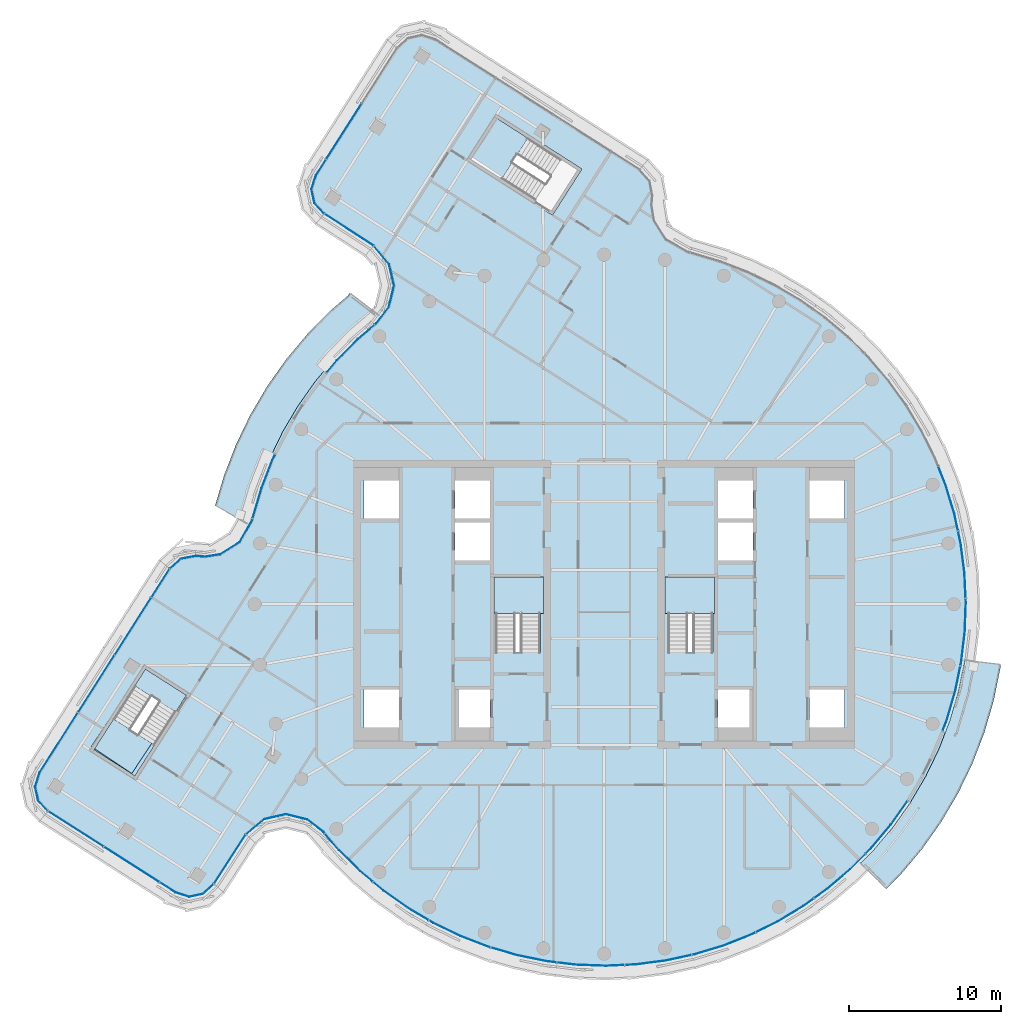
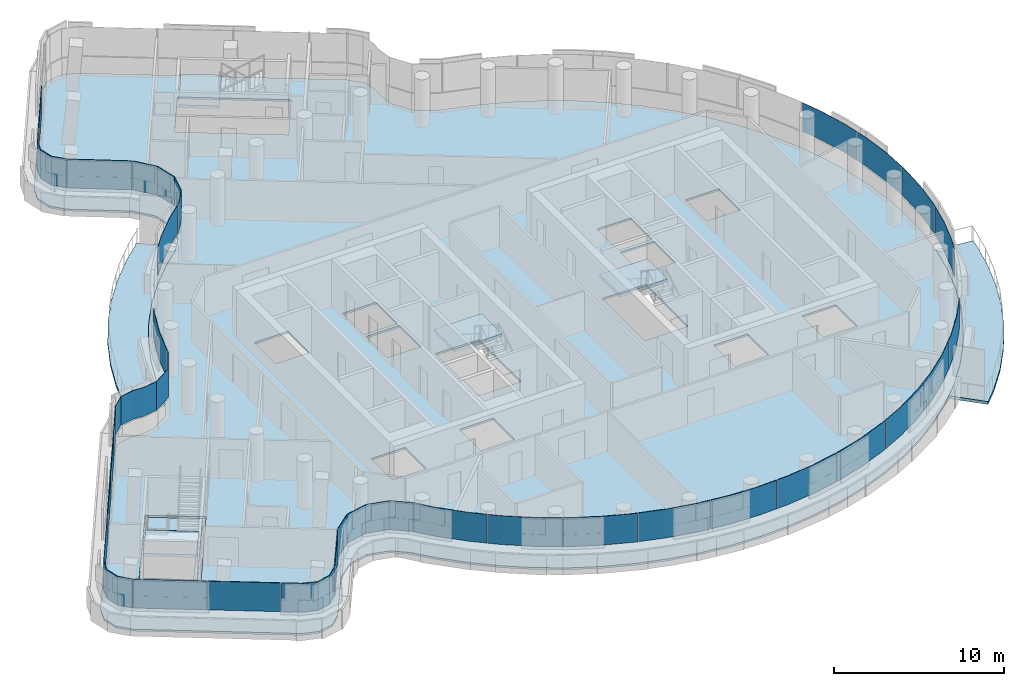
# One storey, part 15 of 27: 30 plates, 8 slabs, 11 elements without a shape of their own.
"""IFC4 building model written with IfcOpenShell, lengths in metres."""

from ifc_helpers import new_model, si_unit, direction, frame, origin, place, context, subcontext, project, spatial, polyline, outline, extrude, material, layer, layer_set, type_object, element, aggregate, save


model = new_model("IFC4")

# Units and contexts
model_context = context("Model", 3, precision=1e-05, world=origin(), true_north=direction((0.0, 1.0)))
body_context = subcontext(model_context, "Body", "Model", "MODEL_VIEW")
ifc_project = project(units=[si_unit("LENGTHUNIT", "METRE"), si_unit("AREAUNIT", "SQUARE_METRE"), si_unit("VOLUMEUNIT", "CUBIC_METRE"), si_unit("PLANEANGLEUNIT", "RADIAN"), si_unit("MASSUNIT", "GRAM", prefix="KILO")], contexts=[model_context])

# Site, building, storey
site_placement = place(None, origin())
site = spatial("IfcSite", under=ifc_project, at=site_placement, CompositionType="ELEMENT")
building_placement = place(site_placement, origin())
building = spatial("IfcBuilding", under=site, at=building_placement, Name="Tamarind Cross Interchange Tower", CompositionType="ELEMENT")
storey_placement = place(building_placement, frame((0.0, 0.0, 241.5)))
storey = spatial("IfcBuildingStorey", under=building, at=storey_placement, Name="L61", CompositionType="ELEMENT", Elevation=241.5)

# Slabs
ifc_material_1 = material(Name="Precast concrete C40", Category="concrete")
ifc_layer_1 = layer(ifc_material_1, 0.199951171875)
ifc_layer_set_1 = layer_set([ifc_layer_1], Name="Precast concrete C40")
slab_type_1 = type_object("IfcSlabType", Name="Balcony slab", PredefinedType="BASESLAB", material=ifc_layer_set_1)
slab_1_placement = place(storey_placement, frame((0.0, 0.0, -0.199951171875)))
element("IfcSlab", 1, at=slab_1_placement, inside=storey, type_object=slab_type_1, Name="SLB-L61-BAL02", PredefinedType="BASESLAB", context=body_context, shape_type="SweptSolid", body=[
    extrude(outline(polyline([(16.869140625, -17.038330078125), (17.72412109375, -16.17578125), (18.99951171875, -14.656982421875), (20.14501953125, -13.0380859375), (21.15283203125, -11.329833984375), (22.01611328125, -9.54443359375), (22.72900390625, -7.69384765625), (23.286865234375, -5.79052734375), (23.685546875, -3.84765625), (23.705078125, -3.6845703125), (26.087890625, -3.97119140625), (26.056396484375, -4.23291015625), (25.617919921875, -6.3701171875), (25.00439453125, -8.4638671875), (24.219970703125, -10.499755859375), (23.270263671875, -12.464111328125), (22.161376953125, -14.343017578125), (20.9013671875, -16.124267578125), (19.498291015625, -17.795166015625), (18.573486328125, -18.72802734375), (16.869140625, -17.038330078125)])), origin(), (0.0, 0.0, 1.0), 0.199951171875),
])
slab_2_placement = place(storey_placement, frame((0.0, 0.0, -0.199951171875)))
element("IfcSlab", 2, at=slab_2_placement, inside=storey, type_object=slab_type_1, Name="SLB-L61-BAL06", PredefinedType="BASESLAB", context=body_context, shape_type="SweptSolid", body=[
    extrude(outline(polyline([(-14.828125, 19.00390625), (-15.133056640625, 18.607421875), (-16.327880859375, 17.584228515625), (-17.72412109375, 16.17578125), (-18.99951171875, 14.656982421875), (-20.14501953125, 13.0380859375), (-21.15283203125, 11.329833984375), (-22.01611328125, 9.54443359375), (-22.72900390625, 7.69384765625), (-23.36767578125, 5.546142578125), (-23.50244140625, 5.3115234375), (-25.5830078125, 6.5078125), (-25.588134765625, 6.4990234375), (-25.002685546875, 8.46826171875), (-24.219970703125, 10.499755859375), (-23.270263671875, 12.464111328125), (-22.161376953125, 14.343017578125), (-20.9013671875, 16.124267578125), (-19.498291015625, 17.795166015625), (-17.963134765625, 19.343505859375), (-16.88330078125, 20.268310546875), (-16.730712890625, 20.466796875), (-14.828125, 19.00390625)])), origin(), (0.0, 0.0, 1.0), 0.199951171875),
])
ifc_material_2 = material(Name="Concrete C35", Category="concrete")
ifc_layer_2 = layer(ifc_material_2, 0.139892578125)
ifc_layer_set_2 = layer_set([ifc_layer_2], Name="Concrete C35")
slab_type_2 = type_object("IfcSlabType", Name="Composite slab 140 Concrete C35", PredefinedType="FLOOR", material=ifc_layer_set_2)
slab_3_placement = place(storey_placement, frame((0.0, 0.0, -0.139892578125)))
element("IfcSlab", 3, at=slab_3_placement, inside=storey, type_object=slab_type_2, Name="Floor slab L61", PredefinedType="FLOOR", context=body_context, shape_type="SweptSolid", body=[
    extrude(outline(polyline([(-27.937255859375, 3.171875), (-28.7373046875, 2.45458984375), (-37.326416015625, -11.00927734375), (-37.638427734375, -11.996337890625), (-37.4150390625, -13.007080078125), (-36.716064453125, -13.77099609375), (-28.285400390625, -19.1494140625), (-27.29833984375, -19.461181640625), (-26.28759765625, -19.23779296875), (-25.523681640625, -18.538818359375), (-23.41748046875, -15.28759765625), (-22.278076171875, -14.332275390625), (-20.94287109375, -14.0283203125), (-19.614013671875, -14.35888671875), (-18.607421875, -15.1328125), (-17.584228515625, -16.327880859375), (-16.17578125, -17.72412109375), (-14.656982421875, -18.99951171875), (-13.0380859375, -20.14501953125), (-11.329833984375, -21.15283203125), (-9.54443359375, -22.01611328125), (-7.693603515625, -22.72900390625), (-5.79052734375, -23.286865234375), (-3.84765625, -23.685546875), (-1.878662109375, -23.92236328125), (0.103271484375, -23.99560546875), (2.08447265625, -23.9052734375), (4.051513671875, -23.651611328125), (5.99072265625, -23.236083984375), (7.88916015625, -22.662109375), (9.7333984375, -21.93310546875), (11.511474609375, -21.054443359375), (13.2109375, -20.031982421875), (14.820068359375, -18.87255859375), (16.327880859375, -17.584228515625), (17.72412109375, -16.17578125), (18.99951171875, -14.656982421875), (20.14501953125, -13.0380859375), (21.15283203125, -11.329833984375), (22.01611328125, -9.54443359375), (22.72900390625, -7.693603515625), (23.286865234375, -5.79052734375), (23.685546875, -3.84765625), (23.92236328125, -1.878662109375), (23.99560546875, 0.103271484375), (23.9052734375, 2.08447265625), (23.651611328125, 4.051513671875), (23.236083984375, 5.99072265625), (22.662109375, 7.88916015625), (21.93310546875, 9.7333984375), (21.054443359375, 11.511474609375), (20.031982421875, 13.2109375), (18.87255859375, 14.820068359375), (17.584228515625, 16.327880859375), (16.17578125, 17.72412109375), (14.656982421875, 18.99951171875), (13.0380859375, 20.14501953125), (11.329833984375, 21.15283203125), (9.54443359375, 22.01611328125), (7.693603515625, 22.72900390625), (5.546142578125, 23.36767578125), (4.217041015625, 24.131591796875), (3.46728515625, 25.327880859375), (3.3193359375, 26.26611328125), (3.37158203125, 26.881591796875), (3.171875, 27.937255859375), (2.45458984375, 28.7373046875), (-11.00927734375, 37.326416015625), (-11.996337890625, 37.638427734375), (-13.007080078125, 37.4150390625), (-13.77099609375, 36.716064453125), (-19.1494140625, 28.285400390625), (-19.461181640625, 27.29833984375), (-19.23779296875, 26.28759765625), (-18.538818359375, 25.523681640625), (-15.28759765625, 23.41748046875), (-14.332275390625, 22.278076171875), (-14.0283203125, 20.94287109375), (-14.35888671875, 19.614013671875), (-15.1328125, 18.607421875), (-16.327880859375, 17.584228515625), (-17.72412109375, 16.17578125), (-18.99951171875, 14.656982421875), (-20.14501953125, 13.0380859375), (-21.15283203125, 11.329833984375), (-22.01611328125, 9.54443359375), (-22.72900390625, 7.693603515625), (-23.36767578125, 5.546142578125), (-24.131591796875, 4.217041015625), (-25.327880859375, 3.46728515625), (-26.26611328125, 3.3193359375), (-26.881591796875, 3.37158203125), (-27.937255859375, 3.171875)]), holes=[polyline([(-31.92236328125, -6.62841796875), (-30.24169921875, -3.994140625), (-30.072998046875, -4.101806640625), (-27.375244140625, -5.822998046875), (-27.206787109375, -5.930419921875), (-30.810302734375, -11.578857421875), (-30.978759765625, -11.47119140625), (-33.676513671875, -9.750244140625), (-33.84521484375, -9.642578125), (-33.69189453125, -9.40234375), (-33.74169921875, -9.369140625), (-31.92236328125, -6.62841796875)]), polyline([(-13.5, -8.125), (-15.800048828125, -8.125), (-15.800048828125, -5.625), (-13.5, -5.625), (-13.5, -8.125)]), polyline([(-7.5, -8.125), (-9.800048828125, -8.125), (-9.800048828125, -5.625), (-7.5, -5.625), (-7.5, -8.125)]), polyline([(-7.5, 2.875), (-9.800048828125, 2.875), (-9.800048828125, 5.375), (-7.5, 5.375), (-7.5, 2.875)]), polyline([(-13.5, 8.125), (-13.5, 5.625), (-15.800048828125, 5.625), (-15.800048828125, 8.125), (-13.5, 8.125)]), polyline([(-7.5, 5.625), (-9.800048828125, 5.625), (-9.800048828125, 8.125), (-7.5, 8.125), (-7.5, 5.625)]), polyline([(-9.0498046875, 29.19677734375), (-8.942138671875, 29.365234375), (-7.22119140625, 32.06298828125), (-7.113525390625, 32.231689453125), (-6.872802734375, 32.078125), (-6.869873046875, 32.08251953125), (-6.62841796875, 31.922119140625), (-1.465087890625, 28.628173828125), (-1.572509765625, 28.459716796875), (-3.293701171875, 25.761962890625), (-3.4013671875, 25.59326171875), (-9.0498046875, 29.19677734375)]), polyline([(7.5, -8.125), (7.5, -5.625), (9.800048828125, -5.625), (9.800048828125, -8.125), (7.5, -8.125)]), polyline([(13.5, -8.125), (13.5, -5.625), (15.800048828125, -5.625), (15.800048828125, -8.125), (13.5, -8.125)]), polyline([(-7.14990234375, 1.800048828125), (-4.199951171875, 1.800048828125), (-4.199951171875, -3.18798828125), (-7.14990234375, -3.18798828125), (-7.14990234375, 1.800048828125)]), polyline([(7.14990234375, 1.800048828125), (7.14990234375, -3.18798828125), (4.199951171875, -3.18798828125), (4.199951171875, 1.800048828125), (7.14990234375, 1.800048828125)]), polyline([(7.5, 5.375), (9.800048828125, 5.375), (9.800048828125, 2.875), (7.5, 2.875), (7.5, 5.375)]), polyline([(7.5, 5.625), (7.5, 8.125), (9.800048828125, 8.125), (9.800048828125, 5.625), (7.5, 5.625)]), polyline([(13.5, 8.125), (15.800048828125, 8.125), (15.800048828125, 5.625), (13.5, 5.625), (13.5, 8.125)])]), origin(), (0.0, 0.0, 1.0), 0.139892578125),
])
slab_4_placement = place(storey_placement, frame((0.0, 0.0, -0.139892578125)))
element("IfcSlab", 4, at=slab_4_placement, inside=storey, type_object=slab_type_2, Name="Floor slab L61", PredefinedType="FLOOR", context=body_context, shape_type="SweptSolid", body=[
    extrude(outline(polyline([(-33.569091796875, -9.581787109375), (-30.87109375, -11.302734375), (-27.48291015625, -5.991455078125), (-30.1806640625, -4.2705078125), (-30.88623046875, -5.37646484375), (-28.331787109375, -7.006103515625), (-31.075927734375, -11.13916015625), (-33.525146484375, -9.512939453125), (-33.569091796875, -9.581787109375)])), origin(), (0.0, 0.0, 1.0), 0.139892578125),
])

# Stair, slab
ifc_material_3 = material(Name="Exit stair")
stair_type = type_object("IfcStairType", Name="Exit stair", PredefinedType="HALF_TURN_STAIR", material=ifc_material_3)
stair_1_placement = place(storey_placement, origin())
stair_1 = element("IfcStair", 5, at=stair_1_placement, inside=storey, type_object=stair_type, Name="L61 exit stair ST1", PredefinedType="HALF_TURN_STAIR")
ifc_material_4 = material(Name="Concrete C40", Category="concrete")
ifc_layer_3 = layer(ifc_material_4, 0.199951171875)
ifc_layer_set_3 = layer_set([ifc_layer_3], Name="Concrete C40")
slab_type_3 = type_object("IfcSlabType", Name="Stair landing", PredefinedType="LANDING", material=ifc_layer_set_3)
slab_5_placement = place(storey_placement, frame((0.0, 0.0, 1.60009765625)))
slab_5 = element("IfcSlab", 6, at=slab_5_placement, type_object=slab_type_3, Name="ST1 landing 1", PredefinedType="LANDING", context=body_context, shape_type="SweptSolid", body=[
    extrude(outline(polyline([(-4.0, -0.60009765625), (-4.0, 1.800048828125), (-7.25, 1.800048828125), (-7.25, -0.60009765625), (-4.0, -0.60009765625)])), origin(), (0.0, 0.0, 1.0), 0.199951171875),
])
aggregate(stair_1, [slab_5])

stair_2_placement = place(storey_placement, origin())
stair_2 = element("IfcStair", 7, at=stair_2_placement, inside=storey, type_object=stair_type, Name="L61 exit stair ST2", PredefinedType="HALF_TURN_STAIR")
slab_6_placement = place(storey_placement, frame((0.0, 0.0, 1.60009765625)))
slab_6 = element("IfcSlab", 8, at=slab_6_placement, type_object=slab_type_3, Name="ST2 landing 1", PredefinedType="LANDING", context=body_context, shape_type="SweptSolid", body=[
    extrude(outline(polyline([(7.25, -0.60009765625), (7.25, 1.800048828125), (4.0, 1.800048828125), (4.0, -0.60009765625), (7.25, -0.60009765625)])), origin(), (0.0, 0.0, 1.0), 0.199951171875),
])
aggregate(stair_2, [slab_6])

stair_3_placement = place(storey_placement, origin())
stair_3 = element("IfcStair", 9, at=stair_3_placement, inside=storey, type_object=stair_type, Name="L61 exit stair ST4", PredefinedType="HALF_TURN_STAIR")
slab_7_placement = place(storey_placement, frame((0.0, 0.0, 1.60009765625)))
slab_7 = element("IfcSlab", 10, at=slab_7_placement, type_object=slab_type_3, Name="ST4 landing 1", PredefinedType="LANDING", context=body_context, shape_type="SweptSolid", body=[
    extrude(outline(polyline([(-5.01904296875, 30.658203125), (-7.052490234375, 31.95556640625), (-8.7734375, 29.2578125), (-6.739990234375, 27.96044921875), (-5.01904296875, 30.658203125)])), origin(), (0.0, 0.0, 1.0), 0.199951171875),
])
aggregate(stair_3, [slab_7])

stair_4_placement = place(storey_placement, origin())
stair_4 = element("IfcStair", 11, at=stair_4_placement, inside=storey, type_object=stair_type, Name="L61 exit stair ST5", PredefinedType="HALF_TURN_STAIR")
slab_8_placement = place(storey_placement, frame((0.0, 0.0, 1.60009765625)))
slab_8 = element("IfcSlab", 12, at=slab_8_placement, type_object=slab_type_3, Name="ST5 landing 1", PredefinedType="LANDING", context=body_context, shape_type="SweptSolid", body=[
    extrude(outline(polyline([(-32.271728515625, -7.548095703125), (-33.569091796875, -9.58154296875), (-30.871337890625, -11.302734375), (-29.573974609375, -9.269287109375), (-32.271728515625, -7.548095703125)])), origin(), (0.0, 0.0, 1.0), 0.199951171875),
])
aggregate(stair_4, [slab_8])

# Curtain wall, plates
ifc_material_5 = material(Name="Aluminium 6063-T6", Category="aluminium")
ifc_layer_4 = layer(ifc_material_5, 0.139892578125)
ifc_layer_set_4 = layer_set([ifc_layer_4], Name="Aluminium 6063-T6")
curtain_wall_type = type_object("IfcCurtainWallType", Name="Hotel curtain wall, 4.5 m bays", PredefinedType="NOTDEFINED", material=ifc_layer_set_4)
curtain_wall_1_placement = place(storey_placement, origin())
curtain_wall_1 = element("IfcCurtainWall", 13, at=curtain_wall_1_placement, inside=storey, type_object=curtain_wall_type, Name="CWS-L61-00", PredefinedType="NOTDEFINED")
ifc_material_6 = material(Name="Laminated low-e glass 6+1.52+6", Category="glass")
ifc_layer_5 = layer(ifc_material_6, 0.02392578125)
ifc_layer_set_5 = layer_set([ifc_layer_5], Name="Laminated low-e glass 6+1.52+6")
plate_type = type_object("IfcPlateType", Name="Vision panel CW2", PredefinedType="CURTAIN_PANEL", material=ifc_layer_set_5)
plate_1_placement = place(storey_placement, frame((0.0, 0.0, 1.39990234375)))
plate_1 = element("IfcPlate", 14, at=plate_1_placement, type_object=plate_type, Name="CWP-L61-00-00", PredefinedType="CURTAIN_PANEL", context=body_context, shape_type="SweptSolid", body=[
    extrude(outline(polyline([(-36.554443359375, -13.62255859375), (-32.941650390625, -15.927490234375), (-32.954345703125, -15.94775390625), (-36.5673828125, -13.642822265625), (-36.554443359375, -13.62255859375)])), origin(), (0.0, 0.0, 1.0), 2.06005859375),
])
plate_2_placement = place(storey_placement, frame((0.0, 0.0, 1.39990234375)))
plate_2 = element("IfcPlate", 15, at=plate_2_placement, type_object=plate_type, Name="CWP-L61-00-01", PredefinedType="CURTAIN_PANEL", context=body_context, shape_type="SweptSolid", body=[
    extrude(outline(polyline([(-32.890869140625, -15.959716796875), (-29.278076171875, -18.2646484375), (-29.290771484375, -18.284912109375), (-32.90380859375, -15.97998046875), (-32.890869140625, -15.959716796875)])), origin(), (0.0, 0.0, 1.0), 2.06005859375),
])
plate_3_placement = place(storey_placement, frame((0.0, 0.0, 1.39990234375)))
plate_3 = element("IfcPlate", 16, at=plate_3_placement, type_object=plate_type, Name="CWP-L61-00-02", PredefinedType="CURTAIN_PANEL", context=body_context, shape_type="SweptSolid", body=[
    extrude(outline(polyline([(-29.227294921875, -18.296875), (-28.195068359375, -18.95556640625), (-27.28857421875, -19.241943359375), (-26.388671875, -19.04296875), (-25.7080078125, -18.419921875), (-25.691650390625, -18.437744140625), (-26.377197265625, -19.06494140625), (-27.289794921875, -19.266845703125), (-28.205322265625, -18.9775390625), (-29.240234375, -18.317138671875), (-29.227294921875, -18.296875)])), origin(), (0.0, 0.0, 1.0), 2.06005859375),
])
aggregate(curtain_wall_1, [plate_1, plate_2, plate_3])

# Curtain wall, plate
curtain_wall_2_placement = place(storey_placement, origin())
curtain_wall_2 = element("IfcCurtainWall", 17, at=curtain_wall_2_placement, inside=storey, type_object=curtain_wall_type, Name="CWS-L61-01", PredefinedType="NOTDEFINED")
plate_4_placement = place(storey_placement, frame((0.0, 0.0, 1.39990234375)))
plate_4 = element("IfcPlate", 18, at=plate_4_placement, type_object=plate_type, Name="CWP-L61-01-00", PredefinedType="CURTAIN_PANEL", context=body_context, shape_type="SweptSolid", body=[
    extrude(outline(polyline([(-25.67138671875, -18.376953125), (-23.595458984375, -15.17236328125), (-23.5751953125, -15.185302734375), (-25.6513671875, -18.389892578125), (-25.67138671875, -18.376953125)])), origin(), (0.0, 0.0, 1.0), 2.06005859375),
])
aggregate(curtain_wall_2, [plate_4])

# Curtain wall, plates
curtain_wall_3_placement = place(storey_placement, origin())
curtain_wall_3 = element("IfcCurtainWall", 19, at=curtain_wall_3_placement, inside=storey, type_object=curtain_wall_type, Name="CWS-L61-02", PredefinedType="NOTDEFINED")
plate_5_placement = place(storey_placement, frame((0.0, 0.0, 1.39990234375)))
plate_5 = element("IfcPlate", 20, at=plate_5_placement, type_object=plate_type, Name="CWP-L61-02-00", PredefinedType="CURTAIN_PANEL", context=body_context, shape_type="SweptSolid", body=[
    extrude(outline(polyline([(-23.5537109375, -15.125244140625), (-22.375, -14.136962890625), (-20.940673828125, -13.810302734375), (-19.519775390625, -14.163818359375), (-18.460693359375, -14.978271484375), (-18.385498046875, -15.066162109375), (-18.40380859375, -15.081787109375), (-18.477294921875, -14.995849609375), (-19.530517578125, -14.18603515625), (-20.94091796875, -13.8349609375), (-22.364013671875, -14.158935546875), (-23.538330078125, -15.1435546875), (-23.5537109375, -15.125244140625)])), origin(), (0.0, 0.0, 1.0), 2.06005859375),
])
plate_6_placement = place(storey_placement, frame((0.0, 0.0, 1.39990234375)))
plate_6 = element("IfcPlate", 21, at=plate_6_placement, type_object=plate_type, Name="CWP-L61-02-01", PredefinedType="CURTAIN_PANEL", context=body_context, shape_type="SweptSolid", body=[
    extrude(outline(polyline([(-18.3466796875, -15.11181640625), (-17.428955078125, -16.183349609375), (-16.032958984375, -17.5673828125), (-15.22705078125, -18.243896484375), (-15.24267578125, -18.26220703125), (-16.049072265625, -17.585205078125), (-17.446533203125, -16.19970703125), (-18.36474609375, -15.12744140625), (-18.3466796875, -15.11181640625)])), origin(), (0.0, 0.0, 1.0), 2.06005859375),
])
plate_7_placement = place(storey_placement, frame((0.0, 0.0, 1.39990234375)))
plate_7 = element("IfcPlate", 22, at=plate_7_placement, type_object=plate_type, Name="CWP-L61-02-02", PredefinedType="CURTAIN_PANEL", context=body_context, shape_type="SweptSolid", body=[
    extrude(outline(polyline([(-15.18115234375, -18.282470703125), (-14.52734375, -18.83154296875), (-12.922607421875, -19.966796875), (-11.556884765625, -20.772705078125), (-11.569091796875, -20.793212890625), (-12.935791015625, -19.987060546875), (-14.5419921875, -18.850341796875), (-15.196533203125, -18.30078125), (-15.18115234375, -18.282470703125)])), origin(), (0.0, 0.0, 1.0), 2.06005859375),
])
plate_8_placement = place(storey_placement, frame((0.0, 0.0, 1.39990234375)))
plate_8 = element("IfcPlate", 23, at=plate_8_placement, type_object=plate_type, Name="CWP-L61-02-03", PredefinedType="CURTAIN_PANEL", context=body_context, shape_type="SweptSolid", body=[
    extrude(outline(polyline([(-11.505126953125, -20.80322265625), (-11.229736328125, -20.9658203125), (-9.4599609375, -21.821533203125), (-7.625732421875, -22.528076171875), (-7.479736328125, -22.57080078125), (-7.486572265625, -22.593994140625), (-7.63330078125, -22.55078125), (-9.469482421875, -21.843505859375), (-11.240966796875, -20.98681640625), (-11.517333984375, -20.82373046875), (-11.505126953125, -20.80322265625)])), origin(), (0.0, 0.0, 1.0), 2.06005859375),
])
plate_9_placement = place(storey_placement, frame((0.0, 0.0, 1.39990234375)))
plate_9 = element("IfcPlate", 24, at=plate_9_placement, type_object=plate_type, Name="CWP-L61-02-04", PredefinedType="CURTAIN_PANEL", context=body_context, shape_type="SweptSolid", body=[
    extrude(outline(polyline([(-7.422119140625, -22.587646484375), (-5.7392578125, -23.080810546875), (-3.813720703125, -23.47607421875), (-3.1328125, -23.557861328125), (-3.1357421875, -23.581787109375), (-3.817626953125, -23.499755859375), (-5.7451171875, -23.104248046875), (-7.428955078125, -22.61083984375), (-7.422119140625, -22.587646484375)])), origin(), (0.0, 0.0, 1.0), 2.06005859375),
])
plate_10_placement = place(storey_placement, frame((0.0, 0.0, 1.39990234375)))
plate_10 = element("IfcPlate", 25, at=plate_10_placement, type_object=plate_type, Name="CWP-L61-02-05", PredefinedType="CURTAIN_PANEL", context=body_context, shape_type="SweptSolid", body=[
    extrude(outline(polyline([(-3.0732421875, -23.565185546875), (-1.862060546875, -23.710693359375), (0.102294921875, -23.783447265625), (1.320556640625, -23.72802734375), (1.32177734375, -23.751953125), (0.1025390625, -23.8076171875), (-1.864013671875, -23.734619140625), (-3.076171875, -23.5888671875), (-3.0732421875, -23.565185546875)])), origin(), (0.0, 0.0, 1.0), 2.06005859375),
])
plate_11_placement = place(storey_placement, frame((0.0, 0.0, 1.39990234375)))
plate_11 = element("IfcPlate", 26, at=plate_11_placement, type_object=plate_type, Name="CWP-L61-02-06", PredefinedType="CURTAIN_PANEL", context=body_context, shape_type="SweptSolid", body=[
    extrude(outline(polyline([(1.380615234375, -23.72509765625), (2.06591796875, -23.69384765625), (4.015625, -23.4423828125), (5.72998046875, -23.0751953125), (5.73486328125, -23.0986328125), (4.019775390625, -23.466064453125), (2.068115234375, -23.7177734375), (1.381591796875, -23.749267578125), (1.380615234375, -23.72509765625)])), origin(), (0.0, 0.0, 1.0), 2.06005859375),
])
plate_12_placement = place(storey_placement, frame((0.0, 0.0, 1.39990234375)))
plate_12 = element("IfcPlate", 27, at=plate_12_placement, type_object=plate_type, Name="CWP-L61-02-07", PredefinedType="CURTAIN_PANEL", context=body_context, shape_type="SweptSolid", body=[
    extrude(outline(polyline([(5.78857421875, -23.0625), (5.937744140625, -23.03076171875), (7.8193359375, -22.461669921875), (9.6474609375, -21.7392578125), (9.93408203125, -21.59765625), (9.94482421875, -21.619140625), (9.6572265625, -21.76123046875), (7.8271484375, -22.484375), (5.94384765625, -23.053955078125), (5.793701171875, -23.0859375), (5.78857421875, -23.0625)])), origin(), (0.0, 0.0, 1.0), 2.06005859375),
])
plate_13_placement = place(storey_placement, frame((0.0, 0.0, 1.39990234375)))
plate_13 = element("IfcPlate", 28, at=plate_13_placement, type_object=plate_type, Name="CWP-L61-02-08", PredefinedType="CURTAIN_PANEL", context=body_context, shape_type="SweptSolid", body=[
    extrude(outline(polyline([(9.98779296875, -21.571044921875), (11.40966796875, -20.868408203125), (13.093994140625, -19.854736328125), (13.78662109375, -19.35595703125), (13.800537109375, -19.375244140625), (13.107177734375, -19.874755859375), (11.421142578125, -20.889404296875), (9.99853515625, -21.592529296875), (9.98779296875, -21.571044921875)])), origin(), (0.0, 0.0, 1.0), 2.06005859375),
])
plate_14_placement = place(storey_placement, frame((0.0, 0.0, 1.39990234375)))
plate_14 = element("IfcPlate", 29, at=plate_14_placement, type_object=plate_type, Name="CWP-L61-02-09", PredefinedType="CURTAIN_PANEL", context=body_context, shape_type="SweptSolid", body=[
    extrude(outline(polyline([(13.835205078125, -19.32080078125), (14.68896484375, -18.705810546875), (16.183349609375, -17.4287109375), (17.16015625, -16.443603515625), (17.17724609375, -16.460693359375), (16.19970703125, -17.4462890625), (14.703857421875, -18.724609375), (13.84912109375, -19.34033203125), (13.835205078125, -19.32080078125)])), origin(), (0.0, 0.0, 1.0), 2.06005859375),
])
plate_15_placement = place(storey_placement, frame((0.0, 0.0, 1.39990234375)))
plate_15 = element("IfcPlate", 30, at=plate_15_placement, type_object=plate_type, Name="CWP-L61-02-10", PredefinedType="CURTAIN_PANEL", context=body_context, shape_type="SweptSolid", body=[
    extrude(outline(polyline([(17.202392578125, -16.401123046875), (17.5673828125, -16.032958984375), (18.83154296875, -14.52734375), (19.940673828125, -12.95947265625), (19.96044921875, -12.97314453125), (18.850341796875, -14.5419921875), (17.585205078125, -16.049072265625), (17.219482421875, -16.41796875), (17.202392578125, -16.401123046875)])), origin(), (0.0, 0.0, 1.0), 2.06005859375),
])
plate_16_placement = place(storey_placement, frame((0.0, 0.0, 1.39990234375)))
plate_16 = element("IfcPlate", 31, at=plate_16_placement, type_object=plate_type, Name="CWP-L61-02-12", PredefinedType="CURTAIN_PANEL", context=body_context, shape_type="SweptSolid", body=[
    extrude(outline(polyline([(22.2578125, -8.3271484375), (22.528076171875, -7.625732421875), (23.080810546875, -5.7392578125), (23.420166015625, -4.0859375), (23.443603515625, -4.0908203125), (23.104248046875, -5.7451171875), (22.55078125, -7.63330078125), (22.2802734375, -8.335693359375), (22.2578125, -8.3271484375)])), origin(), (0.0, 0.0, 1.0), 2.06005859375),
])
plate_17_placement = place(storey_placement, frame((0.0, 0.0, 1.39990234375)))
plate_17 = element("IfcPlate", 32, at=plate_17_placement, type_object=plate_type, Name="CWP-L61-02-13", PredefinedType="CURTAIN_PANEL", context=body_context, shape_type="SweptSolid", body=[
    extrude(outline(polyline([(23.43212890625, -4.02734375), (23.47607421875, -3.813720703125), (23.710693359375, -1.862060546875), (23.783447265625, 0.102294921875), (23.77197265625, 0.356201171875), (23.7958984375, 0.357177734375), (23.8076171875, 0.1025390625), (23.734619140625, -1.864013671875), (23.499755859375, -3.817626953125), (23.455810546875, -4.031982421875), (23.43212890625, -4.02734375)])), origin(), (0.0, 0.0, 1.0), 2.06005859375),
])
plate_18_placement = place(storey_placement, frame((0.0, 0.0, 1.39990234375)))
plate_18 = element("IfcPlate", 33, at=plate_18_placement, type_object=plate_type, Name="CWP-L61-02-14", PredefinedType="CURTAIN_PANEL", context=body_context, shape_type="SweptSolid", body=[
    extrude(outline(polyline([(23.769287109375, 0.416015625), (23.69384765625, 2.06591796875), (23.4423828125, 4.015625), (23.27734375, 4.785888671875), (23.30078125, 4.790771484375), (23.466064453125, 4.019775390625), (23.7177734375, 2.068115234375), (23.793212890625, 0.417236328125), (23.769287109375, 0.416015625)])), origin(), (0.0, 0.0, 1.0), 2.06005859375),
])
plate_19_placement = place(storey_placement, frame((0.0, 0.0, 1.39990234375)))
plate_19 = element("IfcPlate", 34, at=plate_19_placement, type_object=plate_type, Name="CWP-L61-02-15", PredefinedType="CURTAIN_PANEL", context=body_context, shape_type="SweptSolid", body=[
    extrude(outline(polyline([(23.264892578125, 4.844482421875), (23.03076171875, 5.937744140625), (22.461669921875, 7.8193359375), (21.975830078125, 9.04833984375), (21.998291015625, 9.057373046875), (22.484375, 7.8271484375), (23.053955078125, 5.94384765625), (23.288330078125, 4.849609375), (23.264892578125, 4.844482421875)])), origin(), (0.0, 0.0, 1.0), 2.06005859375),
])
aggregate(curtain_wall_3, [plate_5, plate_6, plate_7, plate_8, plate_9, plate_10, plate_11, plate_12, plate_13, plate_14, plate_15, plate_16, plate_17, plate_18, plate_19])

curtain_wall_4_placement = place(storey_placement, origin())
curtain_wall_4 = element("IfcCurtainWall", 35, at=curtain_wall_4_placement, inside=storey, type_object=curtain_wall_type, Name="CWS-L61-04", PredefinedType="NOTDEFINED")
plate_20_placement = place(storey_placement, frame((0.0, 0.0, 1.39990234375)))
plate_20 = element("IfcPlate", 36, at=plate_20_placement, type_object=plate_type, Name="CWP-L61-04-01", PredefinedType="CURTAIN_PANEL", context=body_context, shape_type="SweptSolid", body=[
    extrude(outline(polyline([(-15.959716796875, 32.890869140625), (-18.2646484375, 29.278076171875), (-18.284912109375, 29.290771484375), (-15.97998046875, 32.90380859375), (-15.959716796875, 32.890869140625)])), origin(), (0.0, 0.0, 1.0), 2.06005859375),
])
plate_21_placement = place(storey_placement, frame((0.0, 0.0, 1.39990234375)))
plate_21 = element("IfcPlate", 37, at=plate_21_placement, type_object=plate_type, Name="CWP-L61-04-02", PredefinedType="CURTAIN_PANEL", context=body_context, shape_type="SweptSolid", body=[
    extrude(outline(polyline([(-18.296875, 29.227294921875), (-18.95556640625, 28.195068359375), (-19.241943359375, 27.28857421875), (-19.04296875, 26.388671875), (-18.419921875, 25.7080078125), (-18.437744140625, 25.691650390625), (-19.06494140625, 26.377197265625), (-19.266845703125, 27.289794921875), (-18.9775390625, 28.205322265625), (-18.317138671875, 29.240234375), (-18.296875, 29.227294921875)])), origin(), (0.0, 0.0, 1.0), 2.06005859375),
])
aggregate(curtain_wall_4, [plate_20, plate_21])

# Curtain wall, plate
curtain_wall_5_placement = place(storey_placement, origin())
curtain_wall_5 = element("IfcCurtainWall", 38, at=curtain_wall_5_placement, inside=storey, type_object=curtain_wall_type, Name="CWS-L61-05", PredefinedType="NOTDEFINED")
plate_22_placement = place(storey_placement, frame((0.0, 0.0, 1.39990234375)))
plate_22 = element("IfcPlate", 39, at=plate_22_placement, type_object=plate_type, Name="CWP-L61-05-00", PredefinedType="CURTAIN_PANEL", context=body_context, shape_type="SweptSolid", body=[
    extrude(outline(polyline([(-18.376953125, 25.67138671875), (-15.17236328125, 23.595458984375), (-15.185302734375, 23.5751953125), (-18.389892578125, 25.6513671875), (-18.376953125, 25.67138671875)])), origin(), (0.0, 0.0, 1.0), 2.06005859375),
])
aggregate(curtain_wall_5, [plate_22])

# Curtain wall, plates
curtain_wall_6_placement = place(storey_placement, origin())
curtain_wall_6 = element("IfcCurtainWall", 40, at=curtain_wall_6_placement, inside=storey, type_object=curtain_wall_type, Name="CWS-L61-06", PredefinedType="NOTDEFINED")
plate_23_placement = place(storey_placement, frame((0.0, 0.0, 1.39990234375)))
plate_23 = element("IfcPlate", 41, at=plate_23_placement, type_object=plate_type, Name="CWP-L61-06-00", PredefinedType="CURTAIN_PANEL", context=body_context, shape_type="SweptSolid", body=[
    extrude(outline(polyline([(-15.125244140625, 23.5537109375), (-14.136962890625, 22.375), (-13.810302734375, 20.940673828125), (-14.163818359375, 19.519775390625), (-14.978271484375, 18.460693359375), (-15.066162109375, 18.385498046875), (-15.081787109375, 18.40380859375), (-14.995849609375, 18.477294921875), (-14.18603515625, 19.530517578125), (-13.8349609375, 20.94091796875), (-14.158935546875, 22.364013671875), (-15.1435546875, 23.538330078125), (-15.125244140625, 23.5537109375)])), origin(), (0.0, 0.0, 1.0), 2.06005859375),
])
plate_24_placement = place(storey_placement, frame((0.0, 0.0, 1.39990234375)))
plate_24 = element("IfcPlate", 42, at=plate_24_placement, type_object=plate_type, Name="CWP-L61-06-01", PredefinedType="CURTAIN_PANEL", context=body_context, shape_type="SweptSolid", body=[
    extrude(outline(polyline([(-15.11181640625, 18.3466796875), (-16.183349609375, 17.428955078125), (-17.5673828125, 16.032958984375), (-18.243896484375, 15.22705078125), (-18.26220703125, 15.24267578125), (-17.585205078125, 16.049072265625), (-16.19970703125, 17.446533203125), (-15.12744140625, 18.36474609375), (-15.11181640625, 18.3466796875)])), origin(), (0.0, 0.0, 1.0), 2.06005859375),
])
plate_25_placement = place(storey_placement, frame((0.0, 0.0, 1.39990234375)))
plate_25 = element("IfcPlate", 43, at=plate_25_placement, type_object=plate_type, Name="CWP-L61-06-03", PredefinedType="CURTAIN_PANEL", context=body_context, shape_type="SweptSolid", body=[
    extrude(outline(polyline([(-21.64013671875, 9.8349609375), (-21.821533203125, 9.4599609375), (-22.5283203125, 7.625244140625), (-23.11376953125, 5.65625), (-23.13671875, 5.6630859375), (-22.551025390625, 7.633056640625), (-21.843505859375, 9.469482421875), (-21.66162109375, 9.845458984375), (-21.64013671875, 9.8349609375)])), origin(), (0.0, 0.0, 1.0), 2.06005859375),
])
plate_26_placement = place(storey_placement, frame((0.0, 0.0, 1.39990234375)))
plate_26 = element("IfcPlate", 44, at=plate_26_placement, type_object=plate_type, Name="CWP-L61-06-04", PredefinedType="CURTAIN_PANEL", context=body_context, shape_type="SweptSolid", body=[
    extrude(outline(polyline([(-23.130859375, 5.598876953125), (-23.17138671875, 5.4619140625), (-23.974365234375, 4.0654296875), (-25.252197265625, 3.264892578125), (-26.25830078125, 3.10595703125), (-26.87060546875, 3.157958984375), (-27.83984375, 2.974609375), (-28.552978515625, 2.3349609375), (-28.569091796875, 2.352783203125), (-27.850830078125, 2.996826171875), (-26.871826171875, 3.18212890625), (-26.25927734375, 3.130126953125), (-25.2607421875, 3.287841796875), (-23.9921875, 4.08251953125), (-23.193603515625, 5.471435546875), (-23.15380859375, 5.605712890625), (-23.130859375, 5.598876953125)])), origin(), (0.0, 0.0, 1.0), 2.06005859375),
])
aggregate(curtain_wall_6, [plate_23, plate_24, plate_25, plate_26])

curtain_wall_7_placement = place(storey_placement, origin())
curtain_wall_7 = element("IfcCurtainWall", 45, at=curtain_wall_7_placement, inside=storey, type_object=curtain_wall_type, Name="CWS-L61-07", PredefinedType="NOTDEFINED")
plate_27_placement = place(storey_placement, frame((0.0, 0.0, 1.39990234375)))
plate_27 = element("IfcPlate", 46, at=plate_27_placement, type_object=plate_type, Name="CWP-L61-07-00", PredefinedType="CURTAIN_PANEL", context=body_context, shape_type="SweptSolid", body=[
    extrude(outline(polyline([(-28.58935546875, 2.292236328125), (-29.760986328125, 0.455810546875), (-29.78125, 0.46875), (-28.609619140625, 2.30517578125), (-28.58935546875, 2.292236328125)])), origin(), (0.0, 0.0, 1.0), 2.06005859375),
])
plate_28_placement = place(storey_placement, frame((0.0, 0.0, 1.39990234375)))
plate_28 = element("IfcPlate", 47, at=plate_28_placement, type_object=plate_type, Name="CWP-L61-07-01", PredefinedType="CURTAIN_PANEL", context=body_context, shape_type="SweptSolid", body=[
    extrude(outline(polyline([(-29.793212890625, 0.4052734375), (-32.173095703125, -3.3251953125), (-32.193115234375, -3.312255859375), (-29.8134765625, 0.418212890625), (-29.793212890625, 0.4052734375)])), origin(), (0.0, 0.0, 1.0), 2.06005859375),
])
plate_29_placement = place(storey_placement, frame((0.0, 0.0, 1.39990234375)))
plate_29 = element("IfcPlate", 48, at=plate_29_placement, type_object=plate_type, Name="CWP-L61-07-02", PredefinedType="CURTAIN_PANEL", context=body_context, shape_type="SweptSolid", body=[
    extrude(outline(polyline([(-32.205322265625, -3.375732421875), (-34.585205078125, -7.106201171875), (-34.605224609375, -7.09326171875), (-32.2255859375, -3.36279296875), (-32.205322265625, -3.375732421875)])), origin(), (0.0, 0.0, 1.0), 2.06005859375),
])
plate_30_placement = place(storey_placement, frame((0.0, 0.0, 1.39990234375)))
plate_30 = element("IfcPlate", 49, at=plate_30_placement, type_object=plate_type, Name="CWP-L61-07-03", PredefinedType="CURTAIN_PANEL", context=body_context, shape_type="SweptSolid", body=[
    extrude(outline(polyline([(-34.617431640625, -7.15673828125), (-37.1328125, -11.099609375), (-37.419189453125, -12.006103515625), (-37.22021484375, -12.906005859375), (-36.59765625, -13.586181640625), (-36.615478515625, -13.6025390625), (-37.2421875, -12.91748046875), (-37.444091796875, -12.0048828125), (-37.15478515625, -11.08935546875), (-34.6376953125, -7.143798828125), (-34.617431640625, -7.15673828125)])), origin(), (0.0, 0.0, 1.0), 2.06005859375),
])
aggregate(curtain_wall_7, [plate_27, plate_28, plate_29, plate_30])

save(model, "model.ifc")
